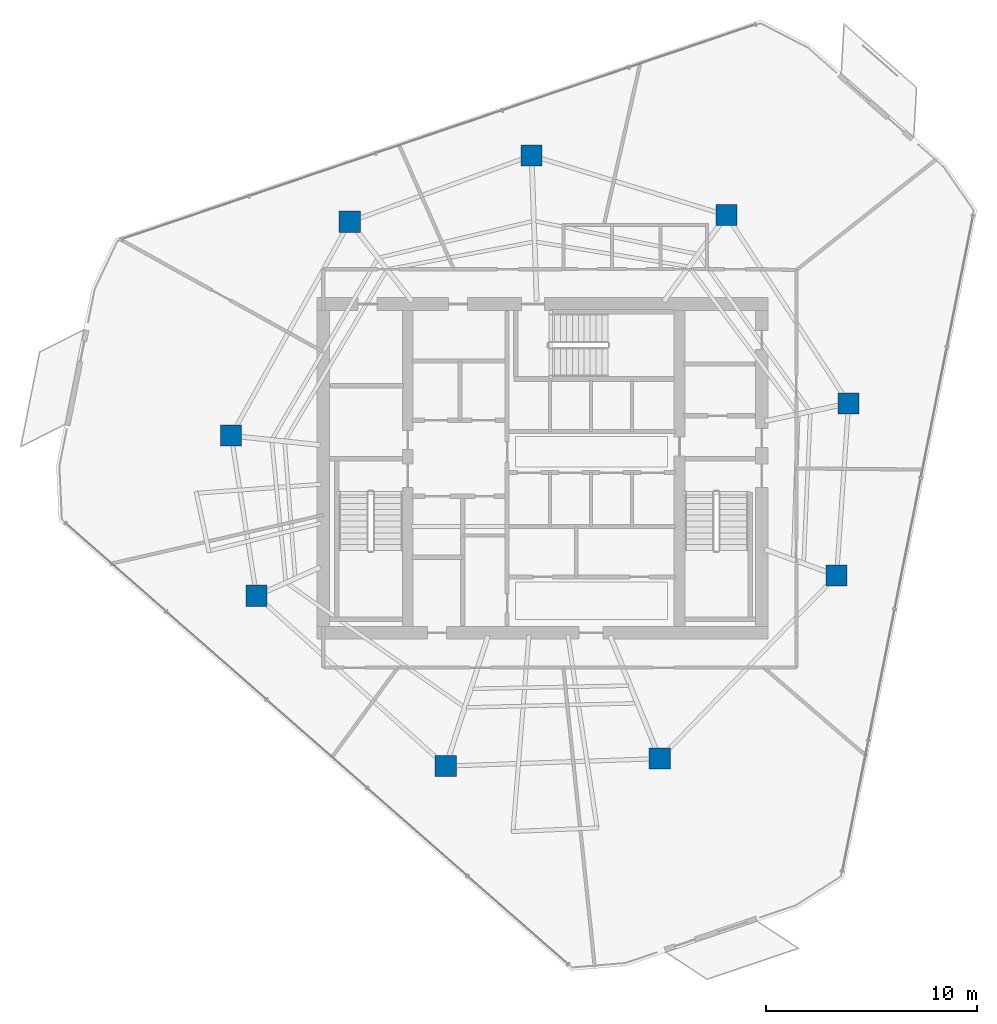
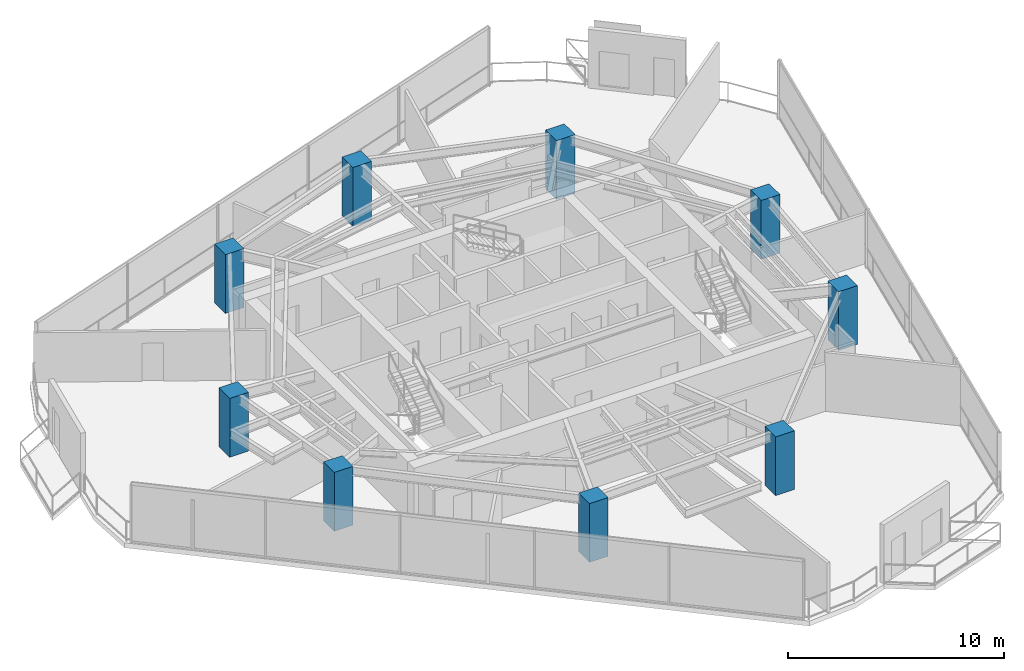
# One storey, part 1 of 20: 9 columns.
"""IFC4 building model written with IfcOpenShell, lengths in metres."""

from ifc_helpers import new_model, si_unit, direction, frame, origin, origin_2d, place, context, subcontext, project, spatial, rectangle, extrude, material, material_profile, profile_set, type_object, element, save


model = new_model("IFC4")

# Units and contexts
model_context = context("Model", 3, precision=1e-05, world=origin(), true_north=direction((0.0, 1.0)))
body_context = subcontext(model_context, "Body", "Model", "MODEL_VIEW")
ifc_project = project(units=[si_unit("LENGTHUNIT", "METRE"), si_unit("AREAUNIT", "SQUARE_METRE"), si_unit("VOLUMEUNIT", "CUBIC_METRE"), si_unit("PLANEANGLEUNIT", "RADIAN"), si_unit("MASSUNIT", "GRAM", prefix="KILO")], contexts=[model_context])

# Site, building, storey
site_placement = place(None, origin())
site = spatial("IfcSite", under=ifc_project, at=site_placement, CompositionType="ELEMENT")
building_placement = place(site_placement, origin())
building = spatial("IfcBuilding", under=site, at=building_placement, Name="Qarnah Convention Tower", CompositionType="ELEMENT")
storey_placement = place(building_placement, frame((0.0, 0.0, 136.5)))
storey = spatial("IfcBuildingStorey", under=building, at=storey_placement, Name="L36", CompositionType="ELEMENT", Elevation=136.5)

# Columns
ifc_material = material(Name="Concrete C60/75", Category="concrete")
ifc_material_profile = material_profile(ifc_material, rectangle(XDim=1.0, YDim=1.0, at=origin_2d()), Name="RC-COL-1000X1000")
ifc_profile_set = profile_set([ifc_material_profile], Name="Concrete C60/75")
column_type = type_object("IfcColumnType", Name="COL-Z3-1000", PredefinedType="COLUMN", material=ifc_profile_set)
for number, where, z_axis, x_axis, name in (
    (1, (51.72509765625, 29.487060546875, 0.0), (0.0, 0.0, 1.0), (1.0, 0.0, 0.0), "L36 plumb column PC-Z3-01"),
    (2, (45.928955078125, 38.4140625, 0.0), (0.0, 0.0, 1.0), (1.0, 0.0, 0.0), "L36 plumb column PC-Z3-02"),
    (3, (36.681884765625, 41.240966796875, 0.0), (0.0, 0.0, 1.0), (1.0, 0.0, 0.0), "L36 plumb column PC-Z3-03"),
    (4, (28.056884765625, 38.10205078125, 0.0), (0.0, 0.0, 1.0), (1.0, 0.0, 0.0), "L36 plumb column PC-Z3-04"),
    (5, (22.430908203125, 27.951904296875, 0.0), (0.0, 0.0, 1.0), (1.0, 0.0, 0.0), "L36 plumb column PC-Z3-05"),
    (6, (23.634033203125, 20.360107421875, 0.0), (0.0, 0.0, 1.0), (1.0, 0.0, 0.0), "L36 plumb column PC-Z3-06"),
    (7, (32.611083984375, 12.277099609375, 0.0), (0.0, 0.0, 1.0), (1.0, 0.0, 0.0), "L36 plumb column PC-Z3-07"),
    (8, (42.762939453125, 12.631103515625, 0.0), (0.0, 0.0, 1.0), (1.0, 0.0, 0.0), "L36 plumb column PC-Z3-08"),
    (9, (51.154052734375, 21.321044921875, 0.0), (0.0, 0.0, 1.0), (1.0, 0.0, 0.0), "L36 plumb column PC-Z3-09"),
):
    element("IfcColumn", number, at=place(storey_placement, frame(where, z_axis=z_axis, x_axis=x_axis)), inside=storey, type_object=column_type, Name=name, PredefinedType="COLUMN", context=body_context, shape_type="SweptSolid", body=[
        extrude(rectangle(XDim=1.0, YDim=1.0, at=origin_2d()), origin(), (0.0, 0.0, 1.0), 3.320068359375),
    ])

save(model, "model.ifc")
